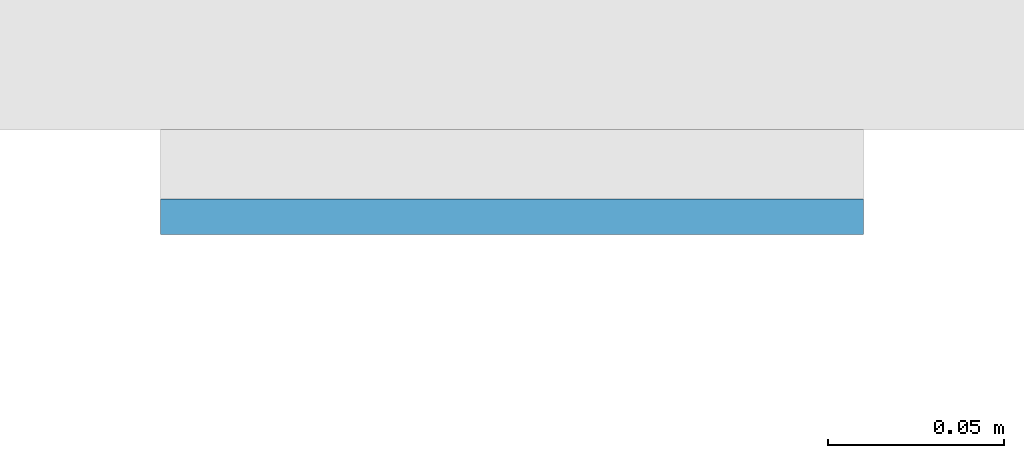
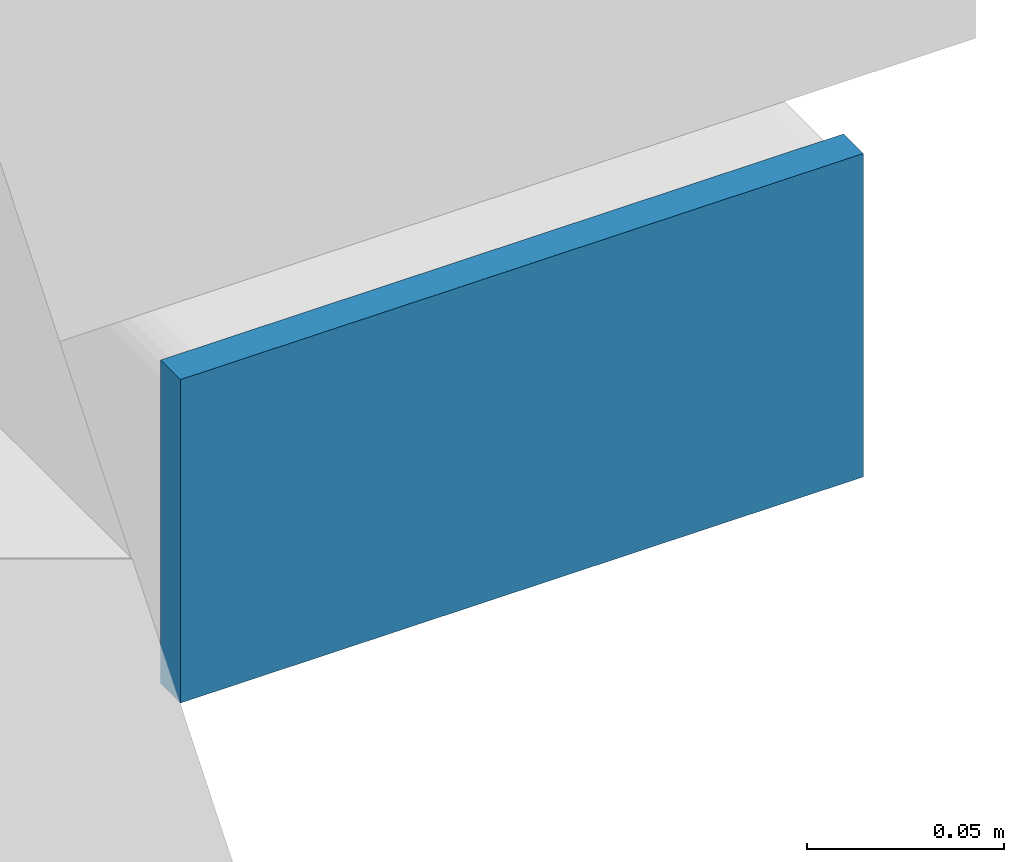
# One storey, part 5 of 11: 1 plate.
"""IFC4 building model written with IfcOpenShell, lengths in metres."""

from ifc_helpers import new_model, si_unit, direction, frame, origin, origin_2d, place, context, subcontext, project, spatial, rectangle, extrude, material, layer, layer_set, type_object, element, save


model = new_model("IFC4")

# Units and contexts
model_context = context("Model", 3, precision=1e-05, world=origin(), true_north=direction((0.0, 1.0)))
body_context = subcontext(model_context, "Body", "Model", "MODEL_VIEW")
ifc_project = project(units=[si_unit("LENGTHUNIT", "METRE"), si_unit("AREAUNIT", "SQUARE_METRE"), si_unit("VOLUMEUNIT", "CUBIC_METRE"), si_unit("PLANEANGLEUNIT", "RADIAN"), si_unit("MASSUNIT", "GRAM", prefix="KILO")], contexts=[model_context])

# Site, building, storey
site_placement = place(None, origin())
site = spatial("IfcSite", under=ifc_project, at=site_placement, CompositionType="ELEMENT")
building_placement = place(site_placement, origin())
building = spatial("IfcBuilding", under=site, at=building_placement, Name="Cleftline Residences", CompositionType="ELEMENT")
storey_placement = place(building_placement, frame((0.0, 0.0, 287.10009765625)))
storey = spatial("IfcBuildingStorey", under=building, at=storey_placement, Name="L75", CompositionType="ELEMENT", Elevation=287.10009765625)

# Plate
ifc_material = material(Name="Steel S355, hot-dip galvanised", Category="steel")
ifc_layer = layer(ifc_material, 0.010009765625)
ifc_layer_set = layer_set([ifc_layer], Name="BAGUETTE CARRIER END PLATE 200X100X10")
plate_type = type_object("IfcPlateType", Name="BAGUETTE CARRIER END PLATE 200X100X10", PredefinedType="USERDEFINED", material=ifc_layer_set)
plate_placement = place(storey_placement, frame((66.85009765625, 3.695068359375, -0.10009765625), z_axis=(0.0, 0.0, 1.0), x_axis=(1.0, 0.0, 0.0)))
element("IfcPlate", 1, at=plate_placement, inside=storey, type_object=plate_type, Name="Baguette carrier end plate", ObjectType="BAGUETTE CARRIER END PLATE", PredefinedType="USERDEFINED", context=body_context, shape_type="SweptSolid", body=[
    extrude(rectangle(XDim=0.199951171875, YDim=0.010009765625, at=origin_2d()), origin(), (0.0, 0.0, 1.0), 0.10009765625),
])

save(model, "model.ifc")
